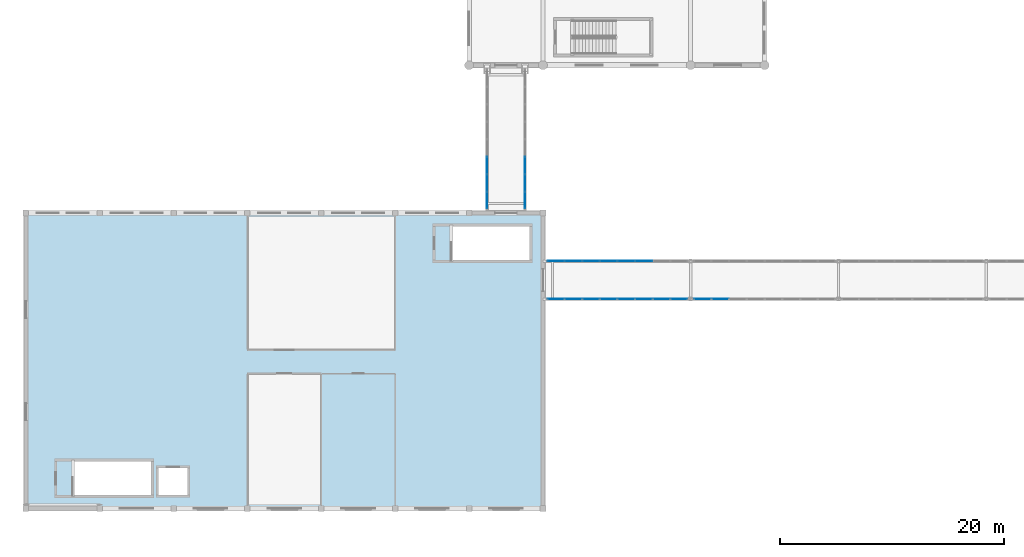
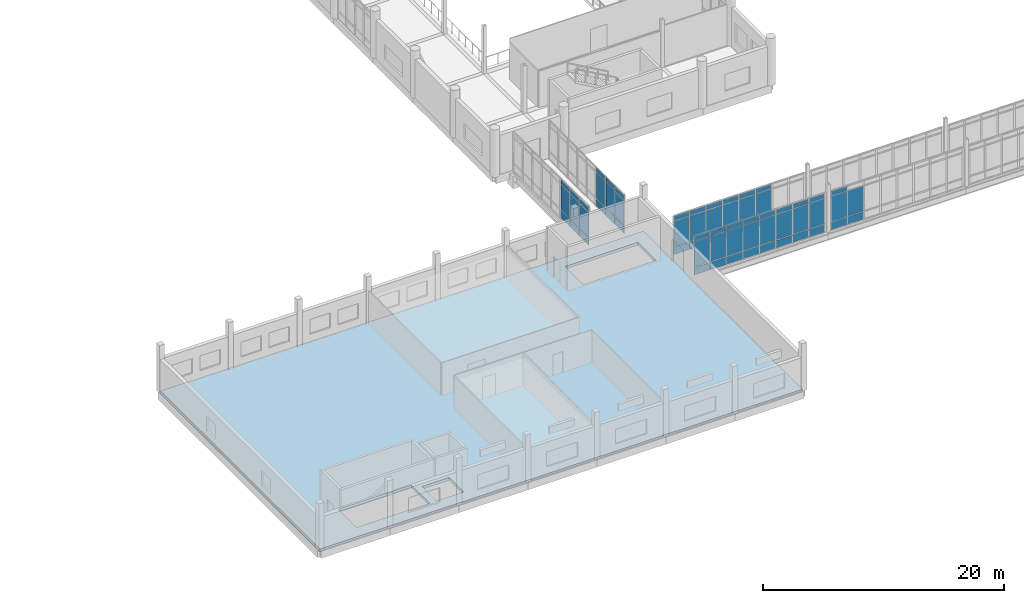
# One storey, part 46 of 101: 65 plates, 1 slab, 5 elements without a shape of their own.
"""IFC4 building model written with IfcOpenShell, lengths in metres."""

from ifc_helpers import new_model, si_unit, direction, frame, origin, origin_2d, place, context, subcontext, project, spatial, polyline, rectangle, outline, extrude, material, layer, layer_set, type_object, element, aggregate, save


model = new_model("IFC4")

# Units and contexts
model_context = context("Model", 3, precision=1e-05, world=origin(), true_north=direction((0.0, 1.0)))
body_context = subcontext(model_context, "Body", "Model", "MODEL_VIEW")
ifc_project = project(units=[si_unit("LENGTHUNIT", "METRE"), si_unit("AREAUNIT", "SQUARE_METRE"), si_unit("VOLUMEUNIT", "CUBIC_METRE"), si_unit("PLANEANGLEUNIT", "RADIAN"), si_unit("MASSUNIT", "GRAM", prefix="KILO")], contexts=[model_context])

# Site, building, storey
site_placement = place(None, origin())
site = spatial("IfcSite", under=ifc_project, at=site_placement, CompositionType="ELEMENT")
building_placement = place(site_placement, origin())
building = spatial("IfcBuilding", under=site, at=building_placement, Name="Dornvale Research Institute", CompositionType="ELEMENT")
storey_placement = place(building_placement, frame((0.0, 0.0, 10.199951171875)))
storey = spatial("IfcBuildingStorey", under=building, at=storey_placement, Name="L02", CompositionType="ELEMENT", Elevation=10.199951171875)

# Curtain wall, plates
ifc_material_1 = material(Name="Low-E Argon Double Insulating Glazing Unit", Category="glass")
curtain_wall_type_1 = type_object("IfcCurtainWallType", Name="UnitisedCurtainWall_V2_12500x4000", PredefinedType="USERDEFINED", material=ifc_material_1)
curtain_wall_1_placement = place(storey_placement, origin())
curtain_wall_1 = element("IfcCurtainWall", 1, at=curtain_wall_1_placement, inside=storey, type_object=curtain_wall_type_1, Name="L02 V2 unitised curtain wall CW-39 #205", ObjectType="UNITISED CURTAIN WALL", PredefinedType="USERDEFINED")
ifc_material_2 = material(Name="Insulated Ceramic-Frit Spandrel Glass Panel", Category="glass")
ifc_layer_1 = layer(ifc_material_2, 0.0419921875)
ifc_layer_set_1 = layer_set([ifc_layer_1], Name="Insulated Ceramic-Frit Spandrel Glass Panel")
plate_type_1 = type_object("IfcPlateType", Name="CurtainPanel_Spandrel_42", PredefinedType="CURTAIN_PANEL", material=ifc_layer_set_1)
plate_1_placement = place(storey_placement, frame((41.199951171875, 27.547607421875, 0.065185546875), z_axis=(0.0, 0.0, 1.0), x_axis=(0.0, 1.0, 0.0)))
plate_1 = element("IfcPlate", 2, at=plate_1_placement, type_object=plate_type_1, Name="CW-39 panel 1.1", PredefinedType="CURTAIN_PANEL", context=body_context, shape_type="SweptSolid", body=[
    extrude(rectangle(XDim=1.465087890625, YDim=0.0419921875, at=origin_2d()), origin(), (0.0, 0.0, 1.0), 0.75244140625),
])
plate_2_placement = place(storey_placement, frame((41.199951171875, 29.09375, 0.065185546875), z_axis=(0.0, 0.0, 1.0), x_axis=(0.0, 1.0, 0.0)))
plate_2 = element("IfcPlate", 3, at=plate_2_placement, type_object=plate_type_1, Name="CW-39 panel 2.1", PredefinedType="CURTAIN_PANEL", context=body_context, shape_type="SweptSolid", body=[
    extrude(rectangle(XDim=1.49755859375, YDim=0.0419921875, at=origin_2d()), origin(), (0.0, 0.0, 1.0), 0.75244140625),
])
plate_3_placement = place(storey_placement, frame((41.199951171875, 30.65625, 0.065185546875), z_axis=(0.0, 0.0, 1.0), x_axis=(0.0, 1.0, 0.0)))
plate_3 = element("IfcPlate", 4, at=plate_3_placement, type_object=plate_type_1, Name="CW-39 panel 3.1", PredefinedType="CURTAIN_PANEL", context=body_context, shape_type="SweptSolid", body=[
    extrude(rectangle(XDim=1.49755859375, YDim=0.0419921875, at=origin_2d()), origin(), (0.0, 0.0, 1.0), 0.75244140625),
])

curtain_wall_2_placement = place(storey_placement, origin())
curtain_wall_2 = element("IfcCurtainWall", 5, at=curtain_wall_2_placement, inside=storey, type_object=curtain_wall_type_1, Name="L02 V2 unitised curtain wall CW-39 #206", ObjectType="UNITISED CURTAIN WALL", PredefinedType="USERDEFINED")
plate_4_placement = place(storey_placement, frame((44.60009765625, 30.65625, 0.065185546875), z_axis=(0.0, 0.0, 1.0), x_axis=(0.0, -1.0, 0.0)))
plate_4 = element("IfcPlate", 6, at=plate_4_placement, type_object=plate_type_1, Name="CW-39 panel 6.1", PredefinedType="CURTAIN_PANEL", context=body_context, shape_type="SweptSolid", body=[
    extrude(rectangle(XDim=1.49755859375, YDim=0.0419921875, at=origin_2d()), origin(), (0.0, 0.0, 1.0), 0.75244140625),
])
plate_5_placement = place(storey_placement, frame((44.60009765625, 29.09375, 0.065185546875), z_axis=(0.0, 0.0, 1.0), x_axis=(0.0, -1.0, 0.0)))
plate_5 = element("IfcPlate", 7, at=plate_5_placement, type_object=plate_type_1, Name="CW-39 panel 7.1", PredefinedType="CURTAIN_PANEL", context=body_context, shape_type="SweptSolid", body=[
    extrude(rectangle(XDim=1.49755859375, YDim=0.0419921875, at=origin_2d()), origin(), (0.0, 0.0, 1.0), 0.75244140625),
])
plate_6_placement = place(storey_placement, frame((44.60009765625, 27.547607421875, 0.065185546875), z_axis=(0.0, 0.0, 1.0), x_axis=(0.0, -1.0, 0.0)))
plate_6 = element("IfcPlate", 8, at=plate_6_placement, type_object=plate_type_1, Name="CW-39 panel 8.1", PredefinedType="CURTAIN_PANEL", context=body_context, shape_type="SweptSolid", body=[
    extrude(rectangle(XDim=1.465087890625, YDim=0.0419921875, at=origin_2d()), origin(), (0.0, 0.0, 1.0), 0.75244140625),
])

ifc_material_3 = material(Name="Low-E Argon Double Insulating Glazing Unit", Category="glass")
curtain_wall_type_2 = type_object("IfcCurtainWallType", Name="UnitisedCurtainWall_V2_12600x4000", PredefinedType="USERDEFINED", material=ifc_material_3)
curtain_wall_3_placement = place(storey_placement, origin())
curtain_wall_3 = element("IfcCurtainWall", 9, at=curtain_wall_3_placement, inside=storey, type_object=curtain_wall_type_2, Name="L02 V2 unitised curtain wall CW-41 #223", ObjectType="UNITISED CURTAIN WALL", PredefinedType="USERDEFINED")
plate_7_placement = place(storey_placement, frame((47.353759765625, 22.10009765625, 0.065185546875), z_axis=(0.0, 0.0, 1.0), x_axis=(1.0, 0.0, 0.0)))
plate_7 = element("IfcPlate", 10, at=plate_7_placement, type_object=plate_type_1, Name="CW-41 panel 1.1", PredefinedType="CURTAIN_PANEL", context=body_context, shape_type="SweptSolid", body=[
    extrude(rectangle(XDim=1.4775390625, YDim=0.0419921875, at=origin_2d()), origin(), (0.0, 0.0, 1.0), 0.75244140625),
])
plate_8_placement = place(storey_placement, frame((48.91259765625, 22.10009765625, 0.065185546875), z_axis=(0.0, 0.0, 1.0), x_axis=(1.0, 0.0, 0.0)))
plate_8 = element("IfcPlate", 11, at=plate_8_placement, type_object=plate_type_1, Name="CW-41 panel 2.1", PredefinedType="CURTAIN_PANEL", context=body_context, shape_type="SweptSolid", body=[
    extrude(rectangle(XDim=1.510009765625, YDim=0.0419921875, at=origin_2d()), origin(), (0.0, 0.0, 1.0), 0.75244140625),
])
plate_9_placement = place(storey_placement, frame((50.487548828125, 22.10009765625, 0.065185546875), z_axis=(0.0, 0.0, 1.0), x_axis=(1.0, 0.0, 0.0)))
plate_9 = element("IfcPlate", 12, at=plate_9_placement, type_object=plate_type_1, Name="CW-41 panel 3.1", PredefinedType="CURTAIN_PANEL", context=body_context, shape_type="SweptSolid", body=[
    extrude(rectangle(XDim=1.510009765625, YDim=0.0419921875, at=origin_2d()), origin(), (0.0, 0.0, 1.0), 0.75244140625),
])
plate_10_placement = place(storey_placement, frame((52.0625, 22.10009765625, 0.065185546875), z_axis=(0.0, 0.0, 1.0), x_axis=(1.0, 0.0, 0.0)))
plate_10 = element("IfcPlate", 13, at=plate_10_placement, type_object=plate_type_1, Name="CW-41 panel 4.1", PredefinedType="CURTAIN_PANEL", context=body_context, shape_type="SweptSolid", body=[
    extrude(rectangle(XDim=1.510009765625, YDim=0.0419921875, at=origin_2d()), origin(), (0.0, 0.0, 1.0), 0.75244140625),
])
plate_11_placement = place(storey_placement, frame((53.637451171875, 22.10009765625, 0.065185546875), z_axis=(0.0, 0.0, 1.0), x_axis=(1.0, 0.0, 0.0)))
plate_11 = element("IfcPlate", 14, at=plate_11_placement, type_object=plate_type_1, Name="CW-41 panel 5.1", PredefinedType="CURTAIN_PANEL", context=body_context, shape_type="SweptSolid", body=[
    extrude(rectangle(XDim=1.510009765625, YDim=0.0419921875, at=origin_2d()), origin(), (0.0, 0.0, 1.0), 0.75244140625),
])
plate_12_placement = place(storey_placement, frame((55.21240234375, 22.10009765625, 0.065185546875), z_axis=(0.0, 0.0, 1.0), x_axis=(1.0, 0.0, 0.0)))
plate_12 = element("IfcPlate", 15, at=plate_12_placement, type_object=plate_type_1, Name="CW-41 panel 6.1", PredefinedType="CURTAIN_PANEL", context=body_context, shape_type="SweptSolid", body=[
    extrude(rectangle(XDim=1.510009765625, YDim=0.0419921875, at=origin_2d()), origin(), (0.0, 0.0, 1.0), 0.75244140625),
])

curtain_wall_4_placement = place(storey_placement, origin())
curtain_wall_4 = element("IfcCurtainWall", 16, at=curtain_wall_4_placement, inside=storey, type_object=curtain_wall_type_2, Name="L02 V2 unitised curtain wall CW-41 #224", ObjectType="UNITISED CURTAIN WALL", PredefinedType="USERDEFINED")
plate_13_placement = place(storey_placement, frame((58.34619140625, 18.699951171875, 0.065185546875), z_axis=(0.0, 0.0, 1.0), x_axis=(-1.0, 0.0, 0.0)))
plate_13 = element("IfcPlate", 17, at=plate_13_placement, type_object=plate_type_1, Name="CW-41 panel 1.1", PredefinedType="CURTAIN_PANEL", context=body_context, shape_type="SweptSolid", body=[
    extrude(rectangle(XDim=1.4775390625, YDim=0.0419921875, at=origin_2d()), origin(), (0.0, 0.0, 1.0), 0.75244140625),
])
plate_14_placement = place(storey_placement, frame((56.78759765625, 18.699951171875, 0.065185546875), z_axis=(0.0, 0.0, 1.0), x_axis=(-1.0, 0.0, 0.0)))
plate_14 = element("IfcPlate", 18, at=plate_14_placement, type_object=plate_type_1, Name="CW-41 panel 2.1", PredefinedType="CURTAIN_PANEL", context=body_context, shape_type="SweptSolid", body=[
    extrude(rectangle(XDim=1.510009765625, YDim=0.0419921875, at=origin_2d()), origin(), (0.0, 0.0, 1.0), 0.75244140625),
])
plate_15_placement = place(storey_placement, frame((55.21240234375, 18.699951171875, 0.065185546875), z_axis=(0.0, 0.0, 1.0), x_axis=(-1.0, 0.0, 0.0)))
plate_15 = element("IfcPlate", 19, at=plate_15_placement, type_object=plate_type_1, Name="CW-41 panel 3.1", PredefinedType="CURTAIN_PANEL", context=body_context, shape_type="SweptSolid", body=[
    extrude(rectangle(XDim=1.510009765625, YDim=0.0419921875, at=origin_2d()), origin(), (0.0, 0.0, 1.0), 0.75244140625),
])
plate_16_placement = place(storey_placement, frame((53.637451171875, 18.699951171875, 0.065185546875), z_axis=(0.0, 0.0, 1.0), x_axis=(-1.0, 0.0, 0.0)))
plate_16 = element("IfcPlate", 20, at=plate_16_placement, type_object=plate_type_1, Name="CW-41 panel 4.1", PredefinedType="CURTAIN_PANEL", context=body_context, shape_type="SweptSolid", body=[
    extrude(rectangle(XDim=1.510009765625, YDim=0.0419921875, at=origin_2d()), origin(), (0.0, 0.0, 1.0), 0.75244140625),
])
plate_17_placement = place(storey_placement, frame((52.0625, 18.699951171875, 0.065185546875), z_axis=(0.0, 0.0, 1.0), x_axis=(-1.0, 0.0, 0.0)))
plate_17 = element("IfcPlate", 21, at=plate_17_placement, type_object=plate_type_1, Name="CW-41 panel 5.1", PredefinedType="CURTAIN_PANEL", context=body_context, shape_type="SweptSolid", body=[
    extrude(rectangle(XDim=1.510009765625, YDim=0.0419921875, at=origin_2d()), origin(), (0.0, 0.0, 1.0), 0.75244140625),
])
plate_18_placement = place(storey_placement, frame((50.487548828125, 18.699951171875, 0.065185546875), z_axis=(0.0, 0.0, 1.0), x_axis=(-1.0, 0.0, 0.0)))
plate_18 = element("IfcPlate", 22, at=plate_18_placement, type_object=plate_type_1, Name="CW-41 panel 6.1", PredefinedType="CURTAIN_PANEL", context=body_context, shape_type="SweptSolid", body=[
    extrude(rectangle(XDim=1.510009765625, YDim=0.0419921875, at=origin_2d()), origin(), (0.0, 0.0, 1.0), 0.75244140625),
])
plate_19_placement = place(storey_placement, frame((48.91259765625, 18.699951171875, 0.065185546875), z_axis=(0.0, 0.0, 1.0), x_axis=(-1.0, 0.0, 0.0)))
plate_19 = element("IfcPlate", 23, at=plate_19_placement, type_object=plate_type_1, Name="CW-41 panel 7.1", PredefinedType="CURTAIN_PANEL", context=body_context, shape_type="SweptSolid", body=[
    extrude(rectangle(XDim=1.510009765625, YDim=0.0419921875, at=origin_2d()), origin(), (0.0, 0.0, 1.0), 0.75244140625),
])
plate_20_placement = place(storey_placement, frame((47.353759765625, 18.699951171875, 0.065185546875), z_axis=(0.0, 0.0, 1.0), x_axis=(-1.0, 0.0, 0.0)))
plate_20 = element("IfcPlate", 24, at=plate_20_placement, type_object=plate_type_1, Name="CW-41 panel 8.1", PredefinedType="CURTAIN_PANEL", context=body_context, shape_type="SweptSolid", body=[
    extrude(rectangle(XDim=1.4775390625, YDim=0.0419921875, at=origin_2d()), origin(), (0.0, 0.0, 1.0), 0.75244140625),
])

ifc_material_4 = material(Name="Low-E Argon Double Insulating Glazing Unit", Category="glass")
curtain_wall_type_3 = type_object("IfcCurtainWallType", Name="UnitisedCurtainWall_V2_12700x4000", PredefinedType="USERDEFINED", material=ifc_material_4)
curtain_wall_5_placement = place(storey_placement, origin())
curtain_wall_5 = element("IfcCurtainWall", 25, at=curtain_wall_5_placement, inside=storey, type_object=curtain_wall_type_3, Name="L02 V2 unitised curtain wall CW-42 #226", ObjectType="UNITISED CURTAIN WALL", PredefinedType="USERDEFINED")
plate_21_placement = place(storey_placement, frame((62.03125, 18.699951171875, 0.065185546875), z_axis=(0.0, 0.0, 1.0), x_axis=(-1.0, 0.0, 0.0)))
plate_21 = element("IfcPlate", 26, at=plate_21_placement, type_object=plate_type_1, Name="CW-42 panel 7.1", PredefinedType="CURTAIN_PANEL", context=body_context, shape_type="SweptSolid", body=[
    extrude(rectangle(XDim=1.5224609375, YDim=0.0419921875, at=origin_2d()), origin(), (0.0, 0.0, 1.0), 0.75244140625),
])
plate_22_placement = place(storey_placement, frame((60.4599609375, 18.699951171875, 0.065185546875), z_axis=(0.0, 0.0, 1.0), x_axis=(-1.0, 0.0, 0.0)))
plate_22 = element("IfcPlate", 27, at=plate_22_placement, type_object=plate_type_1, Name="CW-42 panel 8.1", PredefinedType="CURTAIN_PANEL", context=body_context, shape_type="SweptSolid", body=[
    extrude(rectangle(XDim=1.489990234375, YDim=0.0419921875, at=origin_2d()), origin(), (0.0, 0.0, 1.0), 0.75244140625),
])

# Plate
ifc_material_5 = material(Name="Low-E Argon Double Insulating Glazing Unit", Category="glass")
ifc_layer_2 = layer(ifc_material_5, 0.028076171875)
ifc_layer_set_2 = layer_set([ifc_layer_2], Name="Low-E Argon Double Insulating Glazing Unit")
plate_type_2 = type_object("IfcPlateType", Name="CurtainPanel_Vision_28", PredefinedType="CURTAIN_PANEL", material=ifc_layer_set_2)
plate_23_placement = place(storey_placement, frame((41.199951171875, 27.547607421875, 0.8828125), z_axis=(0.0, 0.0, 1.0), x_axis=(0.0, 1.0, 0.0)))
plate_23 = element("IfcPlate", 28, at=plate_23_placement, type_object=plate_type_2, Name="CW-39 panel 1.2", PredefinedType="CURTAIN_PANEL", context=body_context, shape_type="SweptSolid", body=[
    extrude(rectangle(XDim=1.465087890625, YDim=0.028076171875, at=origin_2d()), origin(), (0.0, 0.0, 1.0), 2.534912109375),
])

plate_24_placement = place(storey_placement, frame((41.199951171875, 27.547607421875, 3.482421875), z_axis=(0.0, 0.0, 1.0), x_axis=(0.0, 1.0, 0.0)))
plate_24 = element("IfcPlate", 29, at=plate_24_placement, type_object=plate_type_2, Name="CW-39 panel 1.3", PredefinedType="CURTAIN_PANEL", context=body_context, shape_type="SweptSolid", body=[
    extrude(rectangle(XDim=1.465087890625, YDim=0.028076171875, at=origin_2d()), origin(), (0.0, 0.0, 1.0), 0.452392578125),
])

plate_25_placement = place(storey_placement, frame((41.199951171875, 29.09375, 0.8828125), z_axis=(0.0, 0.0, 1.0), x_axis=(0.0, 1.0, 0.0)))
plate_25 = element("IfcPlate", 30, at=plate_25_placement, type_object=plate_type_2, Name="CW-39 panel 2.2", PredefinedType="CURTAIN_PANEL", context=body_context, shape_type="SweptSolid", body=[
    extrude(rectangle(XDim=1.49755859375, YDim=0.028076171875, at=origin_2d()), origin(), (0.0, 0.0, 1.0), 2.534912109375),
])

plate_26_placement = place(storey_placement, frame((41.199951171875, 29.09375, 3.482421875), z_axis=(0.0, 0.0, 1.0), x_axis=(0.0, 1.0, 0.0)))
plate_26 = element("IfcPlate", 31, at=plate_26_placement, type_object=plate_type_2, Name="CW-39 panel 2.3", PredefinedType="CURTAIN_PANEL", context=body_context, shape_type="SweptSolid", body=[
    extrude(rectangle(XDim=1.49755859375, YDim=0.028076171875, at=origin_2d()), origin(), (0.0, 0.0, 1.0), 0.452392578125),
])

plate_27_placement = place(storey_placement, frame((41.199951171875, 30.65625, 0.8828125), z_axis=(0.0, 0.0, 1.0), x_axis=(0.0, 1.0, 0.0)))
plate_27 = element("IfcPlate", 32, at=plate_27_placement, type_object=plate_type_2, Name="CW-39 panel 3.2", PredefinedType="CURTAIN_PANEL", context=body_context, shape_type="SweptSolid", body=[
    extrude(rectangle(XDim=1.49755859375, YDim=0.028076171875, at=origin_2d()), origin(), (0.0, 0.0, 1.0), 2.534912109375),
])

plate_28_placement = place(storey_placement, frame((41.199951171875, 30.65625, 3.482421875), z_axis=(0.0, 0.0, 1.0), x_axis=(0.0, 1.0, 0.0)))
plate_28 = element("IfcPlate", 33, at=plate_28_placement, type_object=plate_type_2, Name="CW-39 panel 3.3", PredefinedType="CURTAIN_PANEL", context=body_context, shape_type="SweptSolid", body=[
    extrude(rectangle(XDim=1.49755859375, YDim=0.028076171875, at=origin_2d()), origin(), (0.0, 0.0, 1.0), 0.452392578125),
])

aggregate(curtain_wall_1, [plate_1, plate_23, plate_24, plate_2, plate_25, plate_26, plate_3, plate_27, plate_28])

plate_29_placement = place(storey_placement, frame((44.60009765625, 30.65625, 0.8828125), z_axis=(0.0, 0.0, 1.0), x_axis=(0.0, -1.0, 0.0)))
plate_29 = element("IfcPlate", 34, at=plate_29_placement, type_object=plate_type_2, Name="CW-39 panel 6.2", PredefinedType="CURTAIN_PANEL", context=body_context, shape_type="SweptSolid", body=[
    extrude(rectangle(XDim=1.49755859375, YDim=0.028076171875, at=origin_2d()), origin(), (0.0, 0.0, 1.0), 2.534912109375),
])

plate_30_placement = place(storey_placement, frame((44.60009765625, 30.65625, 3.482421875), z_axis=(0.0, 0.0, 1.0), x_axis=(0.0, -1.0, 0.0)))
plate_30 = element("IfcPlate", 35, at=plate_30_placement, type_object=plate_type_2, Name="CW-39 panel 6.3", PredefinedType="CURTAIN_PANEL", context=body_context, shape_type="SweptSolid", body=[
    extrude(rectangle(XDim=1.49755859375, YDim=0.028076171875, at=origin_2d()), origin(), (0.0, 0.0, 1.0), 0.452392578125),
])

plate_31_placement = place(storey_placement, frame((44.60009765625, 29.09375, 0.8828125), z_axis=(0.0, 0.0, 1.0), x_axis=(0.0, -1.0, 0.0)))
plate_31 = element("IfcPlate", 36, at=plate_31_placement, type_object=plate_type_2, Name="CW-39 panel 7.2", PredefinedType="CURTAIN_PANEL", context=body_context, shape_type="SweptSolid", body=[
    extrude(rectangle(XDim=1.49755859375, YDim=0.028076171875, at=origin_2d()), origin(), (0.0, 0.0, 1.0), 2.534912109375),
])

plate_32_placement = place(storey_placement, frame((44.60009765625, 29.09375, 3.482421875), z_axis=(0.0, 0.0, 1.0), x_axis=(0.0, -1.0, 0.0)))
plate_32 = element("IfcPlate", 37, at=plate_32_placement, type_object=plate_type_2, Name="CW-39 panel 7.3", PredefinedType="CURTAIN_PANEL", context=body_context, shape_type="SweptSolid", body=[
    extrude(rectangle(XDim=1.49755859375, YDim=0.028076171875, at=origin_2d()), origin(), (0.0, 0.0, 1.0), 0.452392578125),
])

plate_33_placement = place(storey_placement, frame((44.60009765625, 27.547607421875, 0.8828125), z_axis=(0.0, 0.0, 1.0), x_axis=(0.0, -1.0, 0.0)))
plate_33 = element("IfcPlate", 38, at=plate_33_placement, type_object=plate_type_2, Name="CW-39 panel 8.2", PredefinedType="CURTAIN_PANEL", context=body_context, shape_type="SweptSolid", body=[
    extrude(rectangle(XDim=1.465087890625, YDim=0.028076171875, at=origin_2d()), origin(), (0.0, 0.0, 1.0), 2.534912109375),
])

plate_34_placement = place(storey_placement, frame((44.60009765625, 27.547607421875, 3.482421875), z_axis=(0.0, 0.0, 1.0), x_axis=(0.0, -1.0, 0.0)))
plate_34 = element("IfcPlate", 39, at=plate_34_placement, type_object=plate_type_2, Name="CW-39 panel 8.3", PredefinedType="CURTAIN_PANEL", context=body_context, shape_type="SweptSolid", body=[
    extrude(rectangle(XDim=1.465087890625, YDim=0.028076171875, at=origin_2d()), origin(), (0.0, 0.0, 1.0), 0.452392578125),
])

aggregate(curtain_wall_2, [plate_4, plate_29, plate_30, plate_5, plate_31, plate_32, plate_6, plate_33, plate_34])

plate_35_placement = place(storey_placement, frame((47.353759765625, 22.10009765625, 0.8828125), z_axis=(0.0, 0.0, 1.0), x_axis=(1.0, 0.0, 0.0)))
plate_35 = element("IfcPlate", 40, at=plate_35_placement, type_object=plate_type_2, Name="CW-41 panel 1.2", PredefinedType="CURTAIN_PANEL", context=body_context, shape_type="SweptSolid", body=[
    extrude(rectangle(XDim=1.4775390625, YDim=0.028076171875, at=origin_2d()), origin(), (0.0, 0.0, 1.0), 2.534912109375),
])

plate_36_placement = place(storey_placement, frame((47.353759765625, 22.10009765625, 3.482421875), z_axis=(0.0, 0.0, 1.0), x_axis=(1.0, 0.0, 0.0)))
plate_36 = element("IfcPlate", 41, at=plate_36_placement, type_object=plate_type_2, Name="CW-41 panel 1.3", PredefinedType="CURTAIN_PANEL", context=body_context, shape_type="SweptSolid", body=[
    extrude(rectangle(XDim=1.4775390625, YDim=0.028076171875, at=origin_2d()), origin(), (0.0, 0.0, 1.0), 0.452392578125),
])

plate_37_placement = place(storey_placement, frame((48.91259765625, 22.10009765625, 0.8828125), z_axis=(0.0, 0.0, 1.0), x_axis=(1.0, 0.0, 0.0)))
plate_37 = element("IfcPlate", 42, at=plate_37_placement, type_object=plate_type_2, Name="CW-41 panel 2.2", PredefinedType="CURTAIN_PANEL", context=body_context, shape_type="SweptSolid", body=[
    extrude(rectangle(XDim=1.510009765625, YDim=0.028076171875, at=origin_2d()), origin(), (0.0, 0.0, 1.0), 2.534912109375),
])

plate_38_placement = place(storey_placement, frame((48.91259765625, 22.10009765625, 3.482421875), z_axis=(0.0, 0.0, 1.0), x_axis=(1.0, 0.0, 0.0)))
plate_38 = element("IfcPlate", 43, at=plate_38_placement, type_object=plate_type_2, Name="CW-41 panel 2.3", PredefinedType="CURTAIN_PANEL", context=body_context, shape_type="SweptSolid", body=[
    extrude(rectangle(XDim=1.510009765625, YDim=0.028076171875, at=origin_2d()), origin(), (0.0, 0.0, 1.0), 0.452392578125),
])

plate_39_placement = place(storey_placement, frame((50.487548828125, 22.10009765625, 0.8828125), z_axis=(0.0, 0.0, 1.0), x_axis=(1.0, 0.0, 0.0)))
plate_39 = element("IfcPlate", 44, at=plate_39_placement, type_object=plate_type_2, Name="CW-41 panel 3.2", PredefinedType="CURTAIN_PANEL", context=body_context, shape_type="SweptSolid", body=[
    extrude(rectangle(XDim=1.510009765625, YDim=0.028076171875, at=origin_2d()), origin(), (0.0, 0.0, 1.0), 2.534912109375),
])

plate_40_placement = place(storey_placement, frame((50.487548828125, 22.10009765625, 3.482421875), z_axis=(0.0, 0.0, 1.0), x_axis=(1.0, 0.0, 0.0)))
plate_40 = element("IfcPlate", 45, at=plate_40_placement, type_object=plate_type_2, Name="CW-41 panel 3.3", PredefinedType="CURTAIN_PANEL", context=body_context, shape_type="SweptSolid", body=[
    extrude(rectangle(XDim=1.510009765625, YDim=0.028076171875, at=origin_2d()), origin(), (0.0, 0.0, 1.0), 0.452392578125),
])

plate_41_placement = place(storey_placement, frame((52.0625, 22.10009765625, 0.8828125), z_axis=(0.0, 0.0, 1.0), x_axis=(1.0, 0.0, 0.0)))
plate_41 = element("IfcPlate", 46, at=plate_41_placement, type_object=plate_type_2, Name="CW-41 panel 4.2", PredefinedType="CURTAIN_PANEL", context=body_context, shape_type="SweptSolid", body=[
    extrude(rectangle(XDim=1.510009765625, YDim=0.028076171875, at=origin_2d()), origin(), (0.0, 0.0, 1.0), 2.534912109375),
])

plate_42_placement = place(storey_placement, frame((52.0625, 22.10009765625, 3.482421875), z_axis=(0.0, 0.0, 1.0), x_axis=(1.0, 0.0, 0.0)))
plate_42 = element("IfcPlate", 47, at=plate_42_placement, type_object=plate_type_2, Name="CW-41 panel 4.3", PredefinedType="CURTAIN_PANEL", context=body_context, shape_type="SweptSolid", body=[
    extrude(rectangle(XDim=1.510009765625, YDim=0.028076171875, at=origin_2d()), origin(), (0.0, 0.0, 1.0), 0.452392578125),
])

plate_43_placement = place(storey_placement, frame((53.637451171875, 22.10009765625, 0.8828125), z_axis=(0.0, 0.0, 1.0), x_axis=(1.0, 0.0, 0.0)))
plate_43 = element("IfcPlate", 48, at=plate_43_placement, type_object=plate_type_2, Name="CW-41 panel 5.2", PredefinedType="CURTAIN_PANEL", context=body_context, shape_type="SweptSolid", body=[
    extrude(rectangle(XDim=1.510009765625, YDim=0.028076171875, at=origin_2d()), origin(), (0.0, 0.0, 1.0), 2.534912109375),
])

plate_44_placement = place(storey_placement, frame((53.637451171875, 22.10009765625, 3.482421875), z_axis=(0.0, 0.0, 1.0), x_axis=(1.0, 0.0, 0.0)))
plate_44 = element("IfcPlate", 49, at=plate_44_placement, type_object=plate_type_2, Name="CW-41 panel 5.3", PredefinedType="CURTAIN_PANEL", context=body_context, shape_type="SweptSolid", body=[
    extrude(rectangle(XDim=1.510009765625, YDim=0.028076171875, at=origin_2d()), origin(), (0.0, 0.0, 1.0), 0.452392578125),
])

plate_45_placement = place(storey_placement, frame((55.21240234375, 22.10009765625, 0.8828125), z_axis=(0.0, 0.0, 1.0), x_axis=(1.0, 0.0, 0.0)))
plate_45 = element("IfcPlate", 50, at=plate_45_placement, type_object=plate_type_2, Name="CW-41 panel 6.2", PredefinedType="CURTAIN_PANEL", context=body_context, shape_type="SweptSolid", body=[
    extrude(rectangle(XDim=1.510009765625, YDim=0.028076171875, at=origin_2d()), origin(), (0.0, 0.0, 1.0), 2.534912109375),
])

plate_46_placement = place(storey_placement, frame((55.21240234375, 22.10009765625, 3.482421875), z_axis=(0.0, 0.0, 1.0), x_axis=(1.0, 0.0, 0.0)))
plate_46 = element("IfcPlate", 51, at=plate_46_placement, type_object=plate_type_2, Name="CW-41 panel 6.3", PredefinedType="CURTAIN_PANEL", context=body_context, shape_type="SweptSolid", body=[
    extrude(rectangle(XDim=1.510009765625, YDim=0.028076171875, at=origin_2d()), origin(), (0.0, 0.0, 1.0), 0.452392578125),
])

aggregate(curtain_wall_3, [plate_7, plate_35, plate_36, plate_8, plate_37, plate_38, plate_9, plate_39, plate_40, plate_10, plate_41, plate_42, plate_11, plate_43, plate_44, plate_12, plate_45, plate_46])

plate_47_placement = place(storey_placement, frame((58.34619140625, 18.699951171875, 0.8828125), z_axis=(0.0, 0.0, 1.0), x_axis=(-1.0, 0.0, 0.0)))
plate_47 = element("IfcPlate", 52, at=plate_47_placement, type_object=plate_type_2, Name="CW-41 panel 1.2", PredefinedType="CURTAIN_PANEL", context=body_context, shape_type="SweptSolid", body=[
    extrude(rectangle(XDim=1.4775390625, YDim=0.028076171875, at=origin_2d()), origin(), (0.0, 0.0, 1.0), 2.534912109375),
])

plate_48_placement = place(storey_placement, frame((58.34619140625, 18.699951171875, 3.482421875), z_axis=(0.0, 0.0, 1.0), x_axis=(-1.0, 0.0, 0.0)))
plate_48 = element("IfcPlate", 53, at=plate_48_placement, type_object=plate_type_2, Name="CW-41 panel 1.3", PredefinedType="CURTAIN_PANEL", context=body_context, shape_type="SweptSolid", body=[
    extrude(rectangle(XDim=1.4775390625, YDim=0.028076171875, at=origin_2d()), origin(), (0.0, 0.0, 1.0), 0.452392578125),
])

plate_49_placement = place(storey_placement, frame((56.78759765625, 18.699951171875, 0.8828125), z_axis=(0.0, 0.0, 1.0), x_axis=(-1.0, 0.0, 0.0)))
plate_49 = element("IfcPlate", 54, at=plate_49_placement, type_object=plate_type_2, Name="CW-41 panel 2.2", PredefinedType="CURTAIN_PANEL", context=body_context, shape_type="SweptSolid", body=[
    extrude(rectangle(XDim=1.510009765625, YDim=0.028076171875, at=origin_2d()), origin(), (0.0, 0.0, 1.0), 2.534912109375),
])

plate_50_placement = place(storey_placement, frame((56.78759765625, 18.699951171875, 3.482421875), z_axis=(0.0, 0.0, 1.0), x_axis=(-1.0, 0.0, 0.0)))
plate_50 = element("IfcPlate", 55, at=plate_50_placement, type_object=plate_type_2, Name="CW-41 panel 2.3", PredefinedType="CURTAIN_PANEL", context=body_context, shape_type="SweptSolid", body=[
    extrude(rectangle(XDim=1.510009765625, YDim=0.028076171875, at=origin_2d()), origin(), (0.0, 0.0, 1.0), 0.452392578125),
])

plate_51_placement = place(storey_placement, frame((55.21240234375, 18.699951171875, 0.8828125), z_axis=(0.0, 0.0, 1.0), x_axis=(-1.0, 0.0, 0.0)))
plate_51 = element("IfcPlate", 56, at=plate_51_placement, type_object=plate_type_2, Name="CW-41 panel 3.2", PredefinedType="CURTAIN_PANEL", context=body_context, shape_type="SweptSolid", body=[
    extrude(rectangle(XDim=1.510009765625, YDim=0.028076171875, at=origin_2d()), origin(), (0.0, 0.0, 1.0), 2.534912109375),
])

plate_52_placement = place(storey_placement, frame((55.21240234375, 18.699951171875, 3.482421875), z_axis=(0.0, 0.0, 1.0), x_axis=(-1.0, 0.0, 0.0)))
plate_52 = element("IfcPlate", 57, at=plate_52_placement, type_object=plate_type_2, Name="CW-41 panel 3.3", PredefinedType="CURTAIN_PANEL", context=body_context, shape_type="SweptSolid", body=[
    extrude(rectangle(XDim=1.510009765625, YDim=0.028076171875, at=origin_2d()), origin(), (0.0, 0.0, 1.0), 0.452392578125),
])

plate_53_placement = place(storey_placement, frame((53.637451171875, 18.699951171875, 0.8828125), z_axis=(0.0, 0.0, 1.0), x_axis=(-1.0, 0.0, 0.0)))
plate_53 = element("IfcPlate", 58, at=plate_53_placement, type_object=plate_type_2, Name="CW-41 panel 4.2", PredefinedType="CURTAIN_PANEL", context=body_context, shape_type="SweptSolid", body=[
    extrude(rectangle(XDim=1.510009765625, YDim=0.028076171875, at=origin_2d()), origin(), (0.0, 0.0, 1.0), 2.534912109375),
])

plate_54_placement = place(storey_placement, frame((53.637451171875, 18.699951171875, 3.482421875), z_axis=(0.0, 0.0, 1.0), x_axis=(-1.0, 0.0, 0.0)))
plate_54 = element("IfcPlate", 59, at=plate_54_placement, type_object=plate_type_2, Name="CW-41 panel 4.3", PredefinedType="CURTAIN_PANEL", context=body_context, shape_type="SweptSolid", body=[
    extrude(rectangle(XDim=1.510009765625, YDim=0.028076171875, at=origin_2d()), origin(), (0.0, 0.0, 1.0), 0.452392578125),
])

plate_55_placement = place(storey_placement, frame((52.0625, 18.699951171875, 0.8828125), z_axis=(0.0, 0.0, 1.0), x_axis=(-1.0, 0.0, 0.0)))
plate_55 = element("IfcPlate", 60, at=plate_55_placement, type_object=plate_type_2, Name="CW-41 panel 5.2", PredefinedType="CURTAIN_PANEL", context=body_context, shape_type="SweptSolid", body=[
    extrude(rectangle(XDim=1.510009765625, YDim=0.028076171875, at=origin_2d()), origin(), (0.0, 0.0, 1.0), 2.534912109375),
])

plate_56_placement = place(storey_placement, frame((52.0625, 18.699951171875, 3.482421875), z_axis=(0.0, 0.0, 1.0), x_axis=(-1.0, 0.0, 0.0)))
plate_56 = element("IfcPlate", 61, at=plate_56_placement, type_object=plate_type_2, Name="CW-41 panel 5.3", PredefinedType="CURTAIN_PANEL", context=body_context, shape_type="SweptSolid", body=[
    extrude(rectangle(XDim=1.510009765625, YDim=0.028076171875, at=origin_2d()), origin(), (0.0, 0.0, 1.0), 0.452392578125),
])

plate_57_placement = place(storey_placement, frame((50.487548828125, 18.699951171875, 0.8828125), z_axis=(0.0, 0.0, 1.0), x_axis=(-1.0, 0.0, 0.0)))
plate_57 = element("IfcPlate", 62, at=plate_57_placement, type_object=plate_type_2, Name="CW-41 panel 6.2", PredefinedType="CURTAIN_PANEL", context=body_context, shape_type="SweptSolid", body=[
    extrude(rectangle(XDim=1.510009765625, YDim=0.028076171875, at=origin_2d()), origin(), (0.0, 0.0, 1.0), 2.534912109375),
])

plate_58_placement = place(storey_placement, frame((50.487548828125, 18.699951171875, 3.482421875), z_axis=(0.0, 0.0, 1.0), x_axis=(-1.0, 0.0, 0.0)))
plate_58 = element("IfcPlate", 63, at=plate_58_placement, type_object=plate_type_2, Name="CW-41 panel 6.3", PredefinedType="CURTAIN_PANEL", context=body_context, shape_type="SweptSolid", body=[
    extrude(rectangle(XDim=1.510009765625, YDim=0.028076171875, at=origin_2d()), origin(), (0.0, 0.0, 1.0), 0.452392578125),
])

plate_59_placement = place(storey_placement, frame((48.91259765625, 18.699951171875, 0.8828125), z_axis=(0.0, 0.0, 1.0), x_axis=(-1.0, 0.0, 0.0)))
plate_59 = element("IfcPlate", 64, at=plate_59_placement, type_object=plate_type_2, Name="CW-41 panel 7.2", PredefinedType="CURTAIN_PANEL", context=body_context, shape_type="SweptSolid", body=[
    extrude(rectangle(XDim=1.510009765625, YDim=0.028076171875, at=origin_2d()), origin(), (0.0, 0.0, 1.0), 2.534912109375),
])

plate_60_placement = place(storey_placement, frame((48.91259765625, 18.699951171875, 3.482421875), z_axis=(0.0, 0.0, 1.0), x_axis=(-1.0, 0.0, 0.0)))
plate_60 = element("IfcPlate", 65, at=plate_60_placement, type_object=plate_type_2, Name="CW-41 panel 7.3", PredefinedType="CURTAIN_PANEL", context=body_context, shape_type="SweptSolid", body=[
    extrude(rectangle(XDim=1.510009765625, YDim=0.028076171875, at=origin_2d()), origin(), (0.0, 0.0, 1.0), 0.452392578125),
])

plate_61_placement = place(storey_placement, frame((47.353759765625, 18.699951171875, 0.8828125), z_axis=(0.0, 0.0, 1.0), x_axis=(-1.0, 0.0, 0.0)))
plate_61 = element("IfcPlate", 66, at=plate_61_placement, type_object=plate_type_2, Name="CW-41 panel 8.2", PredefinedType="CURTAIN_PANEL", context=body_context, shape_type="SweptSolid", body=[
    extrude(rectangle(XDim=1.4775390625, YDim=0.028076171875, at=origin_2d()), origin(), (0.0, 0.0, 1.0), 2.534912109375),
])

plate_62_placement = place(storey_placement, frame((47.353759765625, 18.699951171875, 3.482421875), z_axis=(0.0, 0.0, 1.0), x_axis=(-1.0, 0.0, 0.0)))
plate_62 = element("IfcPlate", 67, at=plate_62_placement, type_object=plate_type_2, Name="CW-41 panel 8.3", PredefinedType="CURTAIN_PANEL", context=body_context, shape_type="SweptSolid", body=[
    extrude(rectangle(XDim=1.4775390625, YDim=0.028076171875, at=origin_2d()), origin(), (0.0, 0.0, 1.0), 0.452392578125),
])

aggregate(curtain_wall_4, [plate_13, plate_47, plate_48, plate_14, plate_49, plate_50, plate_15, plate_51, plate_52, plate_16, plate_53, plate_54, plate_17, plate_55, plate_56, plate_18, plate_57, plate_58, plate_19, plate_59, plate_60, plate_20, plate_61, plate_62])

plate_63_placement = place(storey_placement, frame((62.03125, 18.699951171875, 0.8828125), z_axis=(0.0, 0.0, 1.0), x_axis=(-1.0, 0.0, 0.0)))
plate_63 = element("IfcPlate", 68, at=plate_63_placement, type_object=plate_type_2, Name="CW-42 panel 7.2", PredefinedType="CURTAIN_PANEL", context=body_context, shape_type="SweptSolid", body=[
    extrude(rectangle(XDim=1.5224609375, YDim=0.028076171875, at=origin_2d()), origin(), (0.0, 0.0, 1.0), 2.534912109375),
])

plate_64_placement = place(storey_placement, frame((60.4599609375, 18.699951171875, 0.8828125), z_axis=(0.0, 0.0, 1.0), x_axis=(-1.0, 0.0, 0.0)))
plate_64 = element("IfcPlate", 69, at=plate_64_placement, type_object=plate_type_2, Name="CW-42 panel 8.2", PredefinedType="CURTAIN_PANEL", context=body_context, shape_type="SweptSolid", body=[
    extrude(rectangle(XDim=1.489990234375, YDim=0.028076171875, at=origin_2d()), origin(), (0.0, 0.0, 1.0), 2.534912109375),
])

plate_65_placement = place(storey_placement, frame((60.4599609375, 18.699951171875, 3.482421875), z_axis=(0.0, 0.0, 1.0), x_axis=(-1.0, 0.0, 0.0)))
plate_65 = element("IfcPlate", 70, at=plate_65_placement, type_object=plate_type_2, Name="CW-42 panel 8.3", PredefinedType="CURTAIN_PANEL", context=body_context, shape_type="SweptSolid", body=[
    extrude(rectangle(XDim=1.489990234375, YDim=0.028076171875, at=origin_2d()), origin(), (0.0, 0.0, 1.0), 0.452392578125),
])

aggregate(curtain_wall_5, [plate_21, plate_63, plate_22, plate_64, plate_65])

# Slab
ifc_material_6 = material(Name="Concrete f'c 45 MPa (C35/45)", Category="concrete")
ifc_layer_3 = layer(ifc_material_6, 0.300048828125)
ifc_layer_set_3 = layer_set([ifc_layer_3], Name="Concrete f'c 45 MPa (C35/45)")
slab_type = type_object("IfcSlabType", Name="FloorSlab_DryLab_300", PredefinedType="FLOOR", material=ifc_layer_set_3)
slab_placement = place(storey_placement, frame((0.0, 0.0, -0.300048828125)))
element("IfcSlab", 71, at=slab_placement, inside=storey, type_object=slab_type, Name="L02 V1 structural slab", PredefinedType="FLOOR", context=body_context, shape_type="SweptSolid", body=[
    extrude(outline(polyline([(0.0, 0.0), (46.199951171875, 0.0), (46.199951171875, 26.39990234375), (0.0, 26.39990234375), (0.0, 0.0)]), holes=[polyline([(4.219970703125, 1.199951171875), (11.199951171875, 1.199951171875), (11.199951171875, 4.199951171875), (4.219970703125, 4.199951171875), (4.219970703125, 1.199951171875)]), polyline([(38.02001953125, 22.199951171875), (45.0, 22.199951171875), (45.0, 25.199951171875), (38.02001953125, 25.199951171875), (38.02001953125, 22.199951171875)]), polyline([(11.85009765625, 1.199951171875), (14.449951171875, 1.199951171875), (14.449951171875, 3.60009765625), (11.85009765625, 3.60009765625), (11.85009765625, 1.199951171875)])]), origin(), (0.0, 0.0, 1.0), 0.300048828125),
])

save(model, "model.ifc")
